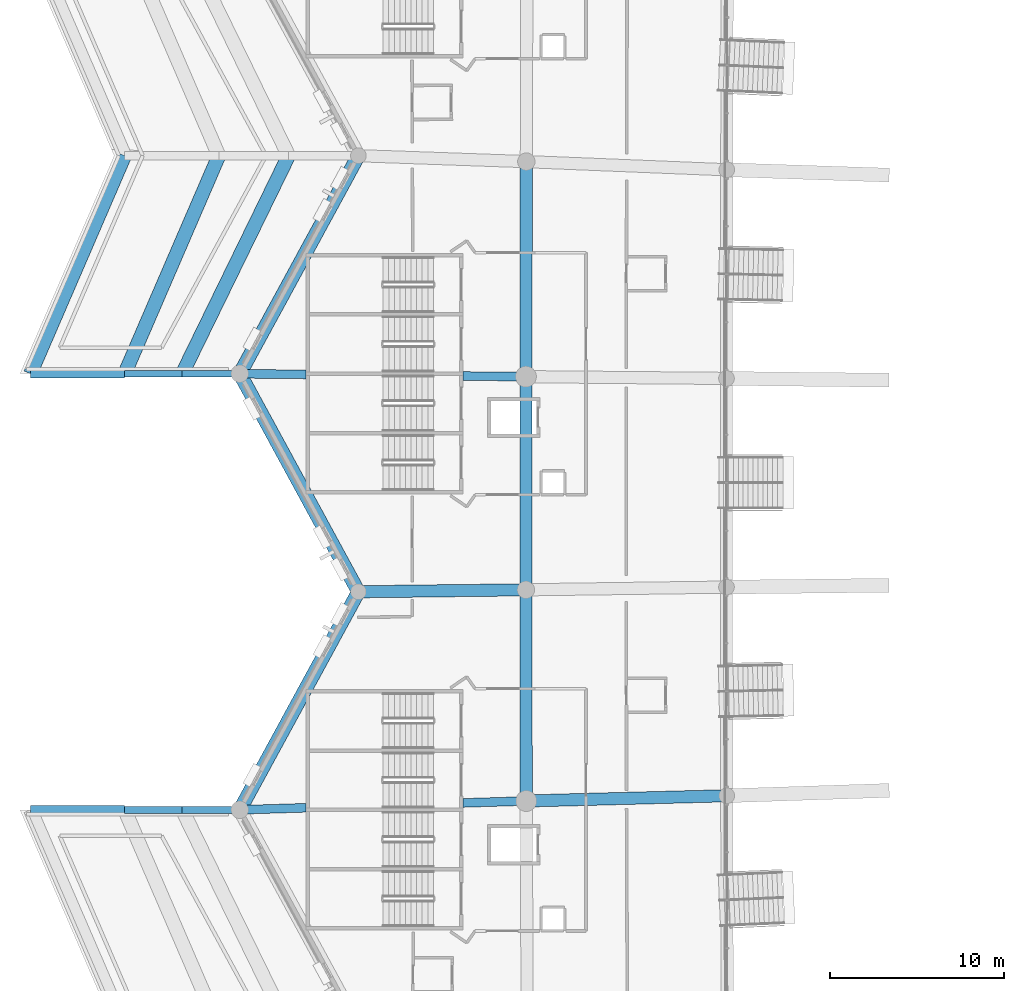
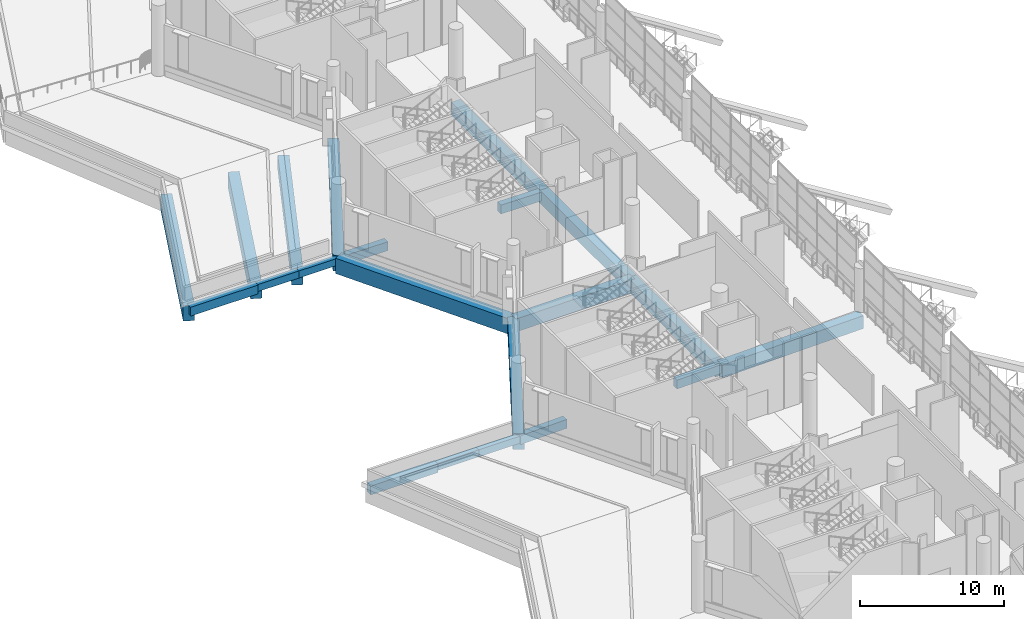
# One storey, part 9 of 173: 21 beams.
"""IFC4 building model written with IfcOpenShell, lengths in metres."""

from ifc_helpers import new_model, si_unit, direction, frame, origin, origin_2d, place, context, subcontext, project, spatial, rectangle, extrude, material, material_profile, profile_set, type_object, element, save


model = new_model("IFC4")

# Units and contexts
model_context = context("Model", 3, precision=1e-05, world=origin(), true_north=direction((0.0, 1.0)))
body_context = subcontext(model_context, "Body", "Model", "MODEL_VIEW")
ifc_project = project(units=[si_unit("LENGTHUNIT", "METRE"), si_unit("AREAUNIT", "SQUARE_METRE"), si_unit("VOLUMEUNIT", "CUBIC_METRE"), si_unit("PLANEANGLEUNIT", "RADIAN"), si_unit("MASSUNIT", "GRAM", prefix="KILO")], contexts=[model_context])

# Site, building, storey
site_placement = place(None, origin())
site = spatial("IfcSite", under=ifc_project, at=site_placement, CompositionType="ELEMENT")
building_placement = place(site_placement, origin())
building = spatial("IfcBuilding", under=site, at=building_placement, Name="Meseta Stadium", CompositionType="ELEMENT")
storey_placement = place(building_placement, frame((0.0, 0.0, 18.0)))
storey = spatial("IfcBuildingStorey", under=building, at=storey_placement, Name="L03", CompositionType="ELEMENT", Elevation=18.0)

# Beams
ifc_material_1 = material(Name="Concrete C40/50", Category="concrete")
ifc_material_profile_1 = material_profile(ifc_material_1, rectangle(XDim=0.39990234375, YDim=0.60009765625, at=origin_2d()), Name="RC 400x600")
ifc_profile_set_1 = profile_set([ifc_material_profile_1], Name="Concrete C40/50")
beam_type_1 = type_object("IfcBeamType", Name="RC beam 400x600", PredefinedType="BEAM", material=ifc_profile_set_1)
for number, where, z_axis, x_axis, name in (
    (1, (-101.39990234375, 6.25, -0.699951171875), (-1.0, 0.0, 0.0), (0.0, -1.0, 0.0), "L03 radial beam frame 32 line R to M"),
    (2, (-104.699951171875, 6.25, -0.699951171875), (-1.0, 0.0, 0.0), (0.0, -1.0, 0.0), "L03 radial beam frame 32 line M to Q"),
    (3, (-101.39990234375, -18.75, -0.699951171875), (-1.0, 0.0, 0.0), (0.0, -1.0, 0.0), "L03 radial beam frame 34 line R to M"),
    (4, (-104.699951171875, -18.75, -0.699951171875), (-1.0, 0.0, 0.0), (0.0, -1.0, 0.0), "L03 radial beam frame 34 line M to Q"),
):
    element("IfcBeam", number, at=place(storey_placement, frame(where, z_axis=z_axis, x_axis=x_axis)), inside=storey, type_object=beam_type_1, Name=name, PredefinedType="BEAM", context=body_context, shape_type="SweptSolid", body=[
        extrude(rectangle(XDim=0.39990234375, YDim=0.60009765625, at=origin_2d()), origin(), (0.0, 0.0, 1.0), 3.300048828125),
    ])
ifc_material_2 = material(Name="Concrete C40/50", Category="concrete")
ifc_material_profile_2 = material_profile(ifc_material_2, rectangle(XDim=0.5, YDim=0.75, at=origin_2d()), Name="RC 500x750")
ifc_profile_set_2 = profile_set([ifc_material_profile_2], Name="Concrete C40/50")
beam_type_2 = type_object("IfcBeamType", Name="RC beam 500x750", PredefinedType="BEAM", material=ifc_profile_set_2)
beam_1_placement = place(storey_placement, frame((-84.99755859375, 6.081298828125, -0.72509765625), z_axis=(-0.999946950007, 0.010300348089, 0.0), x_axis=(-0.010300348089, -0.999946950007, 0.0)))
element("IfcBeam", 5, at=beam_1_placement, inside=storey, type_object=beam_type_2, Name="L03 radial beam frame 32 line P to R", PredefinedType="BEAM", context=body_context, shape_type="SweptSolid", body=[
    extrude(rectangle(XDim=0.5, YDim=0.75, at=origin_2d()), origin(), (0.0, 0.0, 1.0), 3.602783203125),
])
beam_2_placement = place(storey_placement, frame((-97.60009765625, 6.2109375, -0.72509765625), z_axis=(-0.999947163614, 0.010279590477, 0.0), x_axis=(-0.010279590477, -0.999947163614, 0.0)))
element("IfcBeam", 6, at=beam_2_placement, inside=storey, type_object=beam_type_2, Name="L03 radial beam frame 32 line P to R", PredefinedType="BEAM", context=body_context, shape_type="SweptSolid", body=[
    extrude(rectangle(XDim=0.5, YDim=0.75, at=origin_2d()), origin(), (0.0, 0.0, 1.0), 3.800048828125),
])
beam_3_placement = place(storey_placement, frame((-84.978515625, -18.24365234375, -0.72509765625), z_axis=(-0.999525783299, -0.030792994672, 0.0), x_axis=(0.030792994672, -0.999525783299, 0.0)))
element("IfcBeam", 7, at=beam_3_placement, inside=storey, type_object=beam_type_2, Name="L03 radial beam frame 34 line P to R", PredefinedType="BEAM", context=body_context, shape_type="SweptSolid", body=[
    extrude(rectangle(XDim=0.5, YDim=0.75, at=origin_2d()), origin(), (0.0, 0.0, 1.0), 3.623291015625),
])
beam_4_placement = place(storey_placement, frame((-97.60009765625, -18.6328125, -0.72509765625), z_axis=(-0.99952477381, -0.030825744759, 0.0), x_axis=(0.030825744759, -0.99952477381, 0.0)))
element("IfcBeam", 8, at=beam_4_placement, inside=storey, type_object=beam_type_2, Name="L03 radial beam frame 34 line P to R", PredefinedType="BEAM", context=body_context, shape_type="SweptSolid", body=[
    extrude(rectangle(XDim=0.5, YDim=0.75, at=origin_2d()), origin(), (0.0, 0.0, 1.0), 3.801513671875),
])
for number, where, z_axis, x_axis, name in (
    (9, (-108.0, 6.25, -0.77490234375), (-1.0, 0.0, 0.0), (0.0, -1.0, 0.0), "L03 radial beam frame 32 line Q to O"),
    (10, (-108.0, -18.75, -0.77490234375), (-1.0, 0.0, 0.0), (0.0, -1.0, 0.0), "L03 radial beam frame 34 line Q to O"),
):
    element("IfcBeam", number, at=place(storey_placement, frame(where, z_axis=z_axis, x_axis=x_axis)), inside=storey, type_object=beam_type_2, Name=name, PredefinedType="BEAM", context=body_context, shape_type="SweptSolid", body=[
        extrude(rectangle(XDim=0.5, YDim=0.75, at=origin_2d()), origin(), (0.0, 0.0, 1.0), 5.39990234375),
    ])
ifc_material_3 = material(Name="Concrete C40/50", Category="concrete")
ifc_material_profile_3 = material_profile(ifc_material_3, rectangle(XDim=0.699951171875, YDim=1.10009765625, at=origin_2d()), Name="RC 700x1100")
ifc_profile_set_3 = profile_set([ifc_material_profile_3], Name="Concrete C40/50")
beam_type_3 = type_object("IfcBeamType", Name="RC beam 700x1100", PredefinedType="BEAM", material=ifc_profile_set_3)
beam_5_placement = place(storey_placement, frame((-84.97314453125, 18.41064453125, -0.89990234375), z_axis=(-0.001980154927, -0.999998039491, 0.0), x_axis=(0.999998039491, -0.001980154927, 0.0)))
element("IfcBeam", 11, at=beam_5_placement, inside=storey, type_object=beam_type_3, Name="L03 ring beam frame 31 line P", PredefinedType="BEAM", context=body_context, shape_type="SweptSolid", body=[
    extrude(rectangle(XDim=0.699951171875, YDim=1.10009765625, at=origin_2d()), origin(), (0.0, 0.0, 1.0), 12.329345703125),
])
beam_6_placement = place(storey_placement, frame((-84.99755859375, 6.081298828125, -0.89990234375), z_axis=(3.9962435e-05, -0.999999999202, 0.0), x_axis=(0.999999999202, 3.9962435e-05, 0.0)))
element("IfcBeam", 12, at=beam_6_placement, inside=storey, type_object=beam_type_3, Name="L03 ring beam frame 32 line P", PredefinedType="BEAM", context=body_context, shape_type="SweptSolid", body=[
    extrude(rectangle(XDim=0.699951171875, YDim=1.10009765625, at=origin_2d()), origin(), (0.0, 0.0, 1.0), 12.218505859375),
])
beam_7_placement = place(storey_placement, frame((-84.9970703125, -6.13720703125, -0.89990234375), z_axis=(0.001532627062, -0.999998825526, 0.0), x_axis=(0.999998825526, 0.001532627062, 0.0)))
element("IfcBeam", 13, at=beam_7_placement, inside=storey, type_object=beam_type_3, Name="L03 ring beam frame 33 line P", PredefinedType="BEAM", context=body_context, shape_type="SweptSolid", body=[
    extrude(rectangle(XDim=0.699951171875, YDim=1.10009765625, at=origin_2d()), origin(), (0.0, 0.0, 1.0), 12.1064453125),
])
beam_8_placement = place(storey_placement, frame((-84.9970703125, -6.13720703125, -0.89990234375), z_axis=(-0.999931028004, -0.01174475352, 0.0), x_axis=(0.01174475352, -0.999931028004, 0.0)))
element("IfcBeam", 14, at=beam_8_placement, inside=storey, type_object=beam_type_3, Name="L03 radial beam frame 33 line P to R", PredefinedType="BEAM", context=body_context, shape_type="SweptSolid", body=[
    extrude(rectangle(XDim=0.699951171875, YDim=1.10009765625, at=origin_2d()), origin(), (0.0, 0.0, 1.0), 9.603759765625),
])
beam_9_placement = place(storey_placement, frame((-73.482421875, -17.943603515625, -0.89990234375), z_axis=(-0.999659567147, -0.026091182637, 0.0), x_axis=(0.026091182637, -0.999659567147, 0.0)))
element("IfcBeam", 15, at=beam_9_placement, inside=storey, type_object=beam_type_3, Name="L03 radial beam frame 34 line E to P", PredefinedType="BEAM", context=body_context, shape_type="SweptSolid", body=[
    extrude(rectangle(XDim=0.699951171875, YDim=1.10009765625, at=origin_2d()), origin(), (0.0, 0.0, 1.0), 11.5),
])
ifc_material_4 = material(Name="Concrete C40/50", Category="concrete")
ifc_material_profile_4 = material_profile(ifc_material_4, rectangle(XDim=0.800048828125, YDim=1.300048828125, at=origin_2d()), Name="RC 800x1300")
ifc_profile_set_4 = profile_set([ifc_material_profile_4], Name="Concrete C40/50")
beam_type_4 = type_object("IfcBeamType", Name="RC beam 800x1300", PredefinedType="BEAM", material=ifc_profile_set_4)
for number, where, z_axis, x_axis, name in (
    (16, (-94.60009765625, 18.75, -1.0), (-0.47785649891, -0.878437912689, 0.0), (0.878437912689, -0.47785649891, 0.0), "L03 ring beam frame 31 line R"),
    (17, (-101.39990234375, 6.25, -1.0), (0.47785649891, -0.878437912689, 0.0), (0.878437912689, 0.47785649891, 0.0), "L03 ring beam frame 32 line R"),
    (18, (-94.60009765625, -6.25, -1.0), (-0.47785649891, -0.878437912689, 0.0), (0.878437912689, -0.47785649891, 0.0), "L03 ring beam frame 33 line R"),
):
    element("IfcBeam", number, at=place(storey_placement, frame(where, z_axis=z_axis, x_axis=x_axis)), inside=storey, type_object=beam_type_4, Name=name, PredefinedType="BEAM", context=body_context, shape_type="SweptSolid", body=[
        extrude(rectangle(XDim=0.800048828125, YDim=1.300048828125, at=origin_2d()), origin(), (0.0, 0.0, 1.0), 14.229736328125),
    ])
beam_10_placement = place(storey_placement, frame((-98.60009765625, 18.75, -1.050048828125), z_axis=(-0.438556770405, -0.898703487882, 0.0), x_axis=(0.898703487882, -0.438556770405, 0.0)))
element("IfcBeam", 19, at=beam_10_placement, inside=storey, type_object=beam_type_4, Name="L03 ring beam frame 31 line M", PredefinedType="BEAM", context=body_context, shape_type="SweptSolid", body=[
    extrude(rectangle(XDim=0.800048828125, YDim=1.300048828125, at=origin_2d()), origin(), (0.0, 0.0, 1.0), 13.908935546875),
])
for number, where, z_axis, x_axis, name in (
    (20, (-102.60009765625, 18.75, -1.050048828125), (-0.396570645327, -0.918004206562, 0.0), (0.918004206562, -0.396570645327, 0.0), "L03 ring beam frame 31 line Q"),
    (21, (-108.0, 18.75, -1.050048828125), (-0.396570645327, -0.918004206562, 0.0), (0.918004206562, -0.396570645327, 0.0), "L03 ring beam frame 31 line O"),
):
    element("IfcBeam", number, at=place(storey_placement, frame(where, z_axis=z_axis, x_axis=x_axis)), inside=storey, type_object=beam_type_4, Name=name, PredefinedType="BEAM", context=body_context, shape_type="SweptSolid", body=[
        extrude(rectangle(XDim=0.800048828125, YDim=1.300048828125, at=origin_2d()), origin(), (0.0, 0.0, 1.0), 13.616455078125),
    ])

save(model, "model.ifc")
